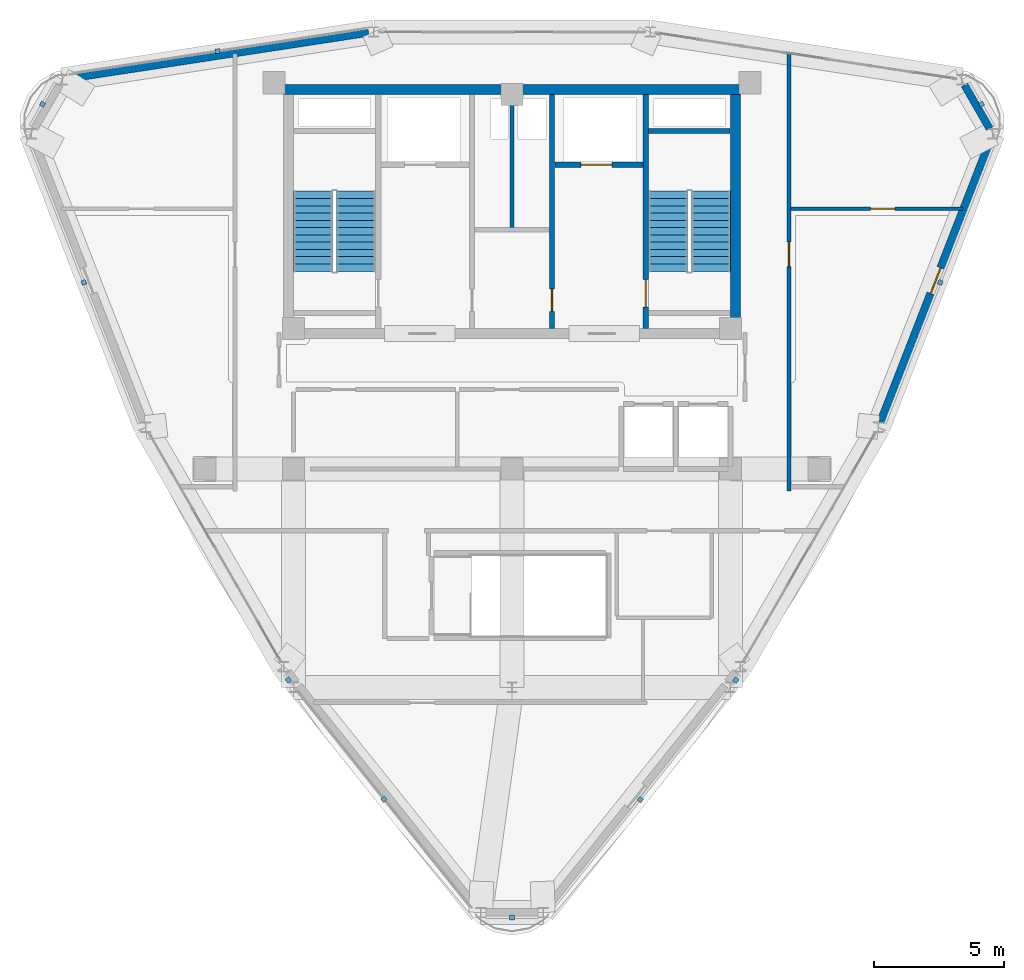
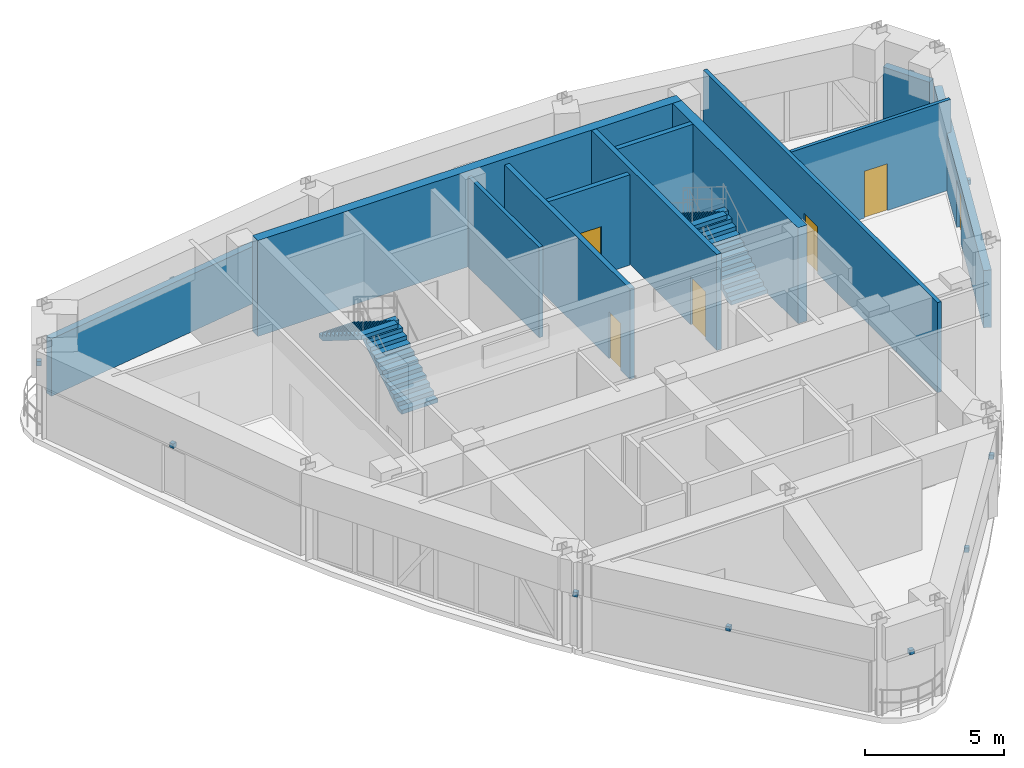
# One storey, part 14 of 16: 12 walls, 10 discrete accessories, 6 doors, 4 stair flights, 6 openings, 2 elements without a shape of their own.
"""IFC4 building model written with IfcOpenShell, lengths in metres."""

from ifc_helpers import new_model, si_unit, derived_unit, direction, frame, frame_2d, origin, origin_2d, place, context, subcontext, project, spatial, polyline, rectangle, outline, extrude, source, transform, mapped, material, layer, layer_set, type_object, element, fill, aggregate, save


model = new_model("IFC4")

# Units and contexts
model_context = context("Model", 3, precision=1e-05, world=origin(), true_north=direction((0.0, 1.0)))
body_context = subcontext(model_context, "Body", "Model", "MODEL_VIEW")
ifc_project = project(units=[si_unit("LENGTHUNIT", "METRE"), si_unit("AREAUNIT", "SQUARE_METRE"), si_unit("VOLUMEUNIT", "CUBIC_METRE"), si_unit("PLANEANGLEUNIT", "RADIAN"), si_unit("MASSUNIT", "GRAM", prefix="KILO"), derived_unit("THERMALTRANSMITTANCEUNIT", [(si_unit("POWERUNIT", "WATT"), 1), (si_unit("LENGTHUNIT", "METRE"), -2), (si_unit("THERMODYNAMICTEMPERATUREUNIT", "KELVIN"), -1)])], contexts=[model_context])

# Site, building, storey
site_placement = place(None, origin())
site = spatial("IfcSite", under=ifc_project, at=site_placement, CompositionType="ELEMENT")
building_placement = place(site_placement, origin())
building = spatial("IfcBuilding", under=site, at=building_placement, Name="Korsvarv Bourse and Concert Hall", CompositionType="ELEMENT")
storey_placement = place(building_placement, frame((0.0, 0.0, 288.0)))
storey = spatial("IfcBuildingStorey", under=building, at=storey_placement, Name="L75", CompositionType="ELEMENT", Elevation=288.0)

# Walls
ifc_material_1 = material(Name="Concrete C50/60", Category="concrete")
ifc_layer_1 = layer(ifc_material_1, 0.3798828125)
ifc_layer_set_1 = layer_set([ifc_layer_1], Name="Concrete C50/60")
wall_type_1 = type_object("IfcWallType", Name="WL-CORE-380", PredefinedType="SHEAR", material=ifc_layer_set_1)
wall_1_placement = place(storey_placement, frame((27.219970703125, 46.989990234375, 0.0), z_axis=(0.0, 0.0, 1.0), x_axis=(1.0, 0.0, 0.0)))
element("IfcWall", 1, at=wall_1_placement, inside=storey, type_object=wall_type_1, Name="L75 North Core Shear Wall", PredefinedType="SHEAR", context=body_context, shape_type="SweptSolid", body=[
    extrude(rectangle(XDim=17.56005859375, YDim=0.3798828125, at=frame_2d((8.780029296875, 0.0))), origin(), (0.0, 0.0, 1.0), 4.199951171875),
])
wall_2_placement = place(storey_placement, frame((44.590087890625, 37.800048828125, 0.0), z_axis=(0.0, 0.0, 1.0), x_axis=(0.0, 1.0, 0.0)))
element("IfcWall", 2, at=wall_2_placement, inside=storey, type_object=wall_type_1, Name="L75 East Core Shear Wall", PredefinedType="SHEAR", context=body_context, shape_type="SweptSolid", body=[
    extrude(rectangle(XDim=9.0, YDim=0.3798828125, at=frame_2d((4.5, 0.0))), origin(), (0.0, 0.0, 1.0), 4.199951171875),
])

# Wall, opening, door
wall_3_placement = place(storey_placement, frame((41.139892578125, 37.81005859375, 0.0), z_axis=(0.0, 0.0, 1.0), x_axis=(0.0, 1.0, 0.0)))
wall_3 = element("IfcWall", 3, at=wall_3_placement, inside=storey, type_object=wall_type_1, Name="L75 stair shaft structural wall W-L75-ST2-W", PredefinedType="SHEAR", context=body_context, shape_type="SweptSolid", body=[
    extrude(rectangle(XDim=8.97998046875, YDim=0.199951171875, at=frame_2d((4.489990234375, 0.0))), origin(), (0.0, 0.0, 1.0), 4.199951171875),
])
opening_1_placement = place(wall_3_placement, frame((0.820068359375, 0.0, 0.0)))
opening_1 = element("IfcOpeningElement", 4, at=opening_1_placement, cuts=wall_3, Name="Opening D-01", PredefinedType="OPENING", context=body_context, shape_type="SweptSolid", body=[
    extrude(rectangle(XDim=1.050048828125, YDim=2.10009765625, at=frame_2d((0.52490234375, 1.050048828125))), frame((0.0, 0.10986328125, 0.0), z_axis=(0.0, -1.0, 0.0), x_axis=(1.0, 0.0, 0.0)), (0.0, 0.0, 1.0), 0.219970703125),
])
ifc_material_2 = material(Name="Steel S355 fire door", Category="steel")
door_type_1 = type_object("IfcDoorType", Name="DR-FD60", OperationType="NOTDEFINED", PredefinedType="DOOR", material=ifc_material_2)
door_1_placement = place(opening_1_placement, frame((1.050048828125, 0.0, 0.0), z_axis=(0.0, 0.0, 1.0), x_axis=(-1.0, 0.0, 0.0)))
door_1 = element("IfcDoor", 5, at=door_1_placement, inside=storey, type_object=door_type_1, Name="L75 interior door DR-L75-ST2", OperationType="SINGLE_SWING_RIGHT", OverallHeight=2.10009765625, OverallWidth=1.050048828125, PredefinedType="DOOR", context=body_context, shape_type="SweptSolid", body=[
    extrude(rectangle(XDim=1.050048828125, YDim=2.10009765625, at=frame_2d((0.52490234375, 1.050048828125))), frame((0.0, 0.02490234375, 0.0), z_axis=(0.0, -1.0, 0.0), x_axis=(1.0, 0.0, 0.0)), (0.0, 0.0, 1.0), 0.050048828125),
])
fill(opening_1, door_1)

# Walls
wall_4_placement = place(storey_placement, frame((41.25, 45.39990234375, 0.0), z_axis=(0.0, 0.0, 1.0), x_axis=(1.0, 0.0, 0.0)))
element("IfcWall", 6, at=wall_4_placement, inside=storey, type_object=wall_type_1, Name="L75 stair shaft structural wall W-L75-ST2-N", PredefinedType="SHEAR", context=body_context, shape_type="SweptSolid", body=[
    extrude(rectangle(XDim=3.139892578125, YDim=0.199951171875, at=frame_2d((1.56982421875, 0.0))), origin(), (0.0, 0.0, 1.0), 4.199951171875),
])
ifc_material_3 = material(Name="Precast concrete C45/55 with terracotta rainscreen", Category="concrete")
ifc_layer_2 = layer(ifc_material_3, 0.300048828125)
ifc_layer_set_2 = layer_set([ifc_layer_2], Name="Precast concrete C45/55 with terracotta rainscreen")
wall_type_2 = type_object("IfcWallType", Name="WL-EXT-TC1", PredefinedType="SOLIDWALL", material=ifc_layer_set_2)
wall_5_placement = place(storey_placement, frame((54.373291015625, 45.491455078125, 0.0), z_axis=(0.0, 0.0, 1.0), x_axis=(-0.499995691662, 0.86602789119, 0.0)))
element("IfcWall", 7, at=wall_5_placement, inside=storey, type_object=wall_type_2, Name="L75 terracotta exterior wall EW-L75-B01", PredefinedType="SOLIDWALL", context=body_context, shape_type="SweptSolid", body=[
    extrude(rectangle(XDim=1.93359375, YDim=0.300048828125, at=frame_2d((0.966796875, 0.0))), origin(), (0.0, 0.0, 1.0), 2.510009765625),
])

# Wall, opening, door
wall_6_placement = place(storey_placement, frame((50.169921875, 34.201416015625, 0.0), z_axis=(0.0, 0.0, 1.0), x_axis=(0.363219891926, 0.931703445367, 0.0)))
wall_6 = element("IfcWall", 8, at=wall_6_placement, inside=storey, type_object=wall_type_2, Name="L75 terracotta exterior wall EW-L75-B12", PredefinedType="SOLIDWALL", context=body_context, shape_type="SweptSolid", body=[
    extrude(rectangle(XDim=11.6787109375, YDim=0.300048828125, at=frame_2d((5.83935546875, 0.0))), origin(), (0.0, 0.0, 1.0), 2.510009765625),
])
opening_2_placement = place(wall_6_placement, frame((5.314453125, 0.0, 0.0)))
opening_2 = element("IfcOpeningElement", 9, at=opening_2_placement, cuts=wall_6, Name="Opening ED-02", PredefinedType="OPENING", context=body_context, shape_type="SweptSolid", body=[
    extrude(rectangle(XDim=1.050048828125, YDim=2.10009765625, at=frame_2d((0.52490234375, 1.050048828125))), frame((0.0, 0.16015625, 0.0), z_axis=(0.0, -1.0, 0.0), x_axis=(1.0, 0.0, 0.0)), (0.0, 0.0, 1.0), 0.320068359375),
])
ifc_material_4 = material(Name="Thermally broken anodised aluminium and laminated safety glass", Category="aluminium")
door_type_2 = type_object("IfcDoorType", Name="DR-EXT-TERR", OperationType="NOTDEFINED", PredefinedType="DOOR", material=ifc_material_4)
door_2_placement = place(opening_2_placement, frame((1.050048828125, 0.0, 0.0), z_axis=(0.0, 0.0, 1.0), x_axis=(-1.0, 0.0, 0.0)))
door_2 = element("IfcDoor", 10, at=door_2_placement, inside=storey, type_object=door_type_2, Name="L75 Sky Garden Terrace Access Door", OperationType="SINGLE_SWING_LEFT", OverallHeight=2.10009765625, OverallWidth=1.050048828125, PredefinedType="DOOR", context=body_context, shape_type="SweptSolid", body=[
    extrude(rectangle(XDim=1.050048828125, YDim=2.10009765625, at=frame_2d((0.52490234375, 1.050048828125))), frame((0.0, 0.02490234375, 0.0), z_axis=(0.0, -1.0, 0.0), x_axis=(1.0, 0.0, 0.0)), (0.0, 0.0, 1.0), 0.050048828125),
])
fill(opening_2, door_2)

# Wall
ifc_material_5 = material(Name="Precast concrete C45/55 with fluted terracotta pier", Category="concrete")
ifc_layer_3 = layer(ifc_material_5, 0.280029296875)
ifc_layer_set_3 = layer_set([ifc_layer_3], Name="Precast concrete C45/55 with fluted terracotta pier")
wall_type_3 = type_object("IfcWallType", Name="WL-EXT-TC2", PredefinedType="SOLIDWALL", material=ifc_layer_set_3)
wall_7_placement = place(storey_placement, frame((30.484375, 49.172607421875, 0.0), z_axis=(0.0, 0.0, 1.0), x_axis=(-0.988488142615, -0.151298353952, 0.0)))
element("IfcWall", 11, at=wall_7_placement, inside=storey, type_object=wall_type_3, Name="L75 terracotta exterior wall EW-L75-B04", PredefinedType="SOLIDWALL", context=body_context, shape_type="SweptSolid", body=[
    extrude(rectangle(XDim=11.7021484375, YDim=0.280029296875, at=frame_2d((5.85107421875, 0.0))), origin(), (0.0, 0.0, 1.0), 2.510009765625),
])

# Wall, opening, door
ifc_material_6 = material(Name="Reinforced concrete blockwork C35/45 fire wall", Category="concrete")
ifc_layer_4 = layer(ifc_material_6, 0.199951171875)
ifc_layer_set_4 = layer_set([ifc_layer_4], Name="Reinforced concrete blockwork C35/45 fire wall")
wall_type_4 = type_object("IfcWallType", Name="WL-INT-EI120", PredefinedType="PARTITIONING", material=ifc_layer_set_4)
wall_8_placement = place(storey_placement, frame((37.64990234375, 44.10009765625, 0.0), z_axis=(0.0, 0.0, 1.0), x_axis=(1.0, 0.0, 0.0)))
wall_8 = element("IfcWall", 12, at=wall_8_placement, inside=storey, type_object=wall_type_4, Name="L75 interior partition wall W-L75-FF2-S", PredefinedType="PARTITIONING", context=body_context, shape_type="SweptSolid", body=[
    extrude(rectangle(XDim=3.380126953125, YDim=0.199951171875, at=frame_2d((1.68994140625, 0.0))), origin(), (0.0, 0.0, 1.0), 3.949951171875),
])
opening_3_placement = place(wall_8_placement, frame((1.0, 0.0, 0.0)))
opening_3 = element("IfcOpeningElement", 13, at=opening_3_placement, cuts=wall_8, Name="Opening LD-1", PredefinedType="OPENING", context=body_context, shape_type="SweptSolid", body=[
    extrude(rectangle(XDim=1.199951171875, YDim=2.10009765625, at=frame_2d((0.60009765625, 1.050048828125))), frame((0.0, 0.10986328125, 0.0), z_axis=(0.0, -1.0, 0.0), x_axis=(1.0, 0.0, 0.0)), (0.0, 0.0, 1.0), 0.219970703125),
])
ifc_material_7 = material(Name="Stainless Steel S355 firefighting lift landing door", Category="steel")
door_type_3 = type_object("IfcDoorType", Name="DR-LIFT-FF", OperationType="DOUBLE_DOOR_SLIDING", PredefinedType="DOOR", material=ifc_material_7)
door_3_placement = place(opening_3_placement, origin())
door_3 = element("IfcDoor", 14, at=door_3_placement, inside=storey, type_object=door_type_3, Name="L75 lift sliding landing door LD-L75-FF2", OperationType="DOUBLE_DOOR_SLIDING", OverallHeight=2.10009765625, OverallWidth=1.199951171875, PredefinedType="DOOR", context=body_context, shape_type="SweptSolid", body=[
    extrude(rectangle(XDim=1.199951171875, YDim=2.10009765625, at=frame_2d((0.60009765625, 1.050048828125))), frame((0.0, 0.02490234375, 0.0), z_axis=(0.0, -1.0, 0.0), x_axis=(1.0, 0.0, 0.0)), (0.0, 0.0, 1.0), 0.050048828125),
])
fill(opening_3, door_3)

wall_9_placement = place(storey_placement, frame((37.5400390625, 37.81005859375, 0.0), z_axis=(0.0, 0.0, 1.0), x_axis=(0.0, 1.0, 0.0)))
wall_9 = element("IfcWall", 15, at=wall_9_placement, inside=storey, type_object=wall_type_4, Name="L75 interior partition wall W-L75-CSB-E", PredefinedType="PARTITIONING", context=body_context, shape_type="SweptSolid", body=[
    extrude(rectangle(XDim=8.97998046875, YDim=0.199951171875, at=frame_2d((4.489990234375, 0.0))), origin(), (0.0, 0.0, 1.0), 3.949951171875),
])
opening_4_placement = place(wall_9_placement, frame((0.64990234375, 0.0, 0.0)))
opening_4 = element("IfcOpeningElement", 16, at=opening_4_placement, cuts=wall_9, Name="Opening D-05", PredefinedType="OPENING", context=body_context, shape_type="SweptSolid", body=[
    extrude(rectangle(XDim=0.85009765625, YDim=2.050048828125, at=frame_2d((0.425048828125, 1.02490234375))), frame((0.0, 0.10986328125, 0.0), z_axis=(0.0, -1.0, 0.0), x_axis=(1.0, 0.0, 0.0)), (0.0, 0.0, 1.0), 0.219970703125),
])
door_type_4 = type_object("IfcDoorType", Name="DR-FD60-850X2050", OperationType="NOTDEFINED", PredefinedType="DOOR", material=ifc_material_2)
door_4_placement = place(opening_4_placement, origin())
door_4 = element("IfcDoor", 17, at=door_4_placement, inside=storey, type_object=door_type_4, Name="L75 interior door DR-L75-CSB2", OperationType="SINGLE_SWING_RIGHT", OverallHeight=2.050048828125, OverallWidth=0.85009765625, PredefinedType="DOOR", context=body_context, shape_type="SweptSolid", body=[
    extrude(rectangle(XDim=0.85009765625, YDim=2.050048828125, at=frame_2d((0.425048828125, 1.02490234375))), frame((0.0, 0.02490234375, 0.0), z_axis=(0.0, -1.0, 0.0), x_axis=(1.0, 0.0, 0.0)), (0.0, 0.0, 1.0), 0.050048828125),
])
fill(opening_4, door_4)

# Wall
ifc_material_8 = material(Name="Double-stud fire-rated acoustic partition", Category="gypsum")
ifc_layer_5 = layer(ifc_material_8, 0.159912109375)
ifc_layer_set_5 = layer_set([ifc_layer_5], Name="Double-stud fire-rated acoustic partition")
wall_type_5 = type_object("IfcWallType", Name="WL-INT-EI60", PredefinedType="PARTITIONING", material=ifc_layer_set_5)
wall_10_placement = place(storey_placement, frame((36.0048828125, 41.68994140625, 0.0), z_axis=(0.0, 0.0, 1.0), x_axis=(0.0, 1.0, 0.0)))
element("IfcWall", 18, at=wall_10_placement, inside=storey, type_object=wall_type_5, Name="L75 interior partition wall W-L75-K2", PredefinedType="PARTITIONING", context=body_context, shape_type="SweptSolid", body=[
    extrude(rectangle(XDim=5.10009765625, YDim=0.159912109375, at=frame_2d((2.550048828125, 0.0))), origin(), (0.0, 0.0, 1.0), 3.949951171875),
])

# Wall, opening, door
wall_11_placement = place(storey_placement, frame((46.655029296875, 31.56005859375, 0.0), z_axis=(0.0, 0.0, 1.0), x_axis=(0.0, 1.0, 0.0)))
wall_11 = element("IfcWall", 19, at=wall_11_placement, inside=storey, type_object=wall_type_5, Name="L75 interior partition wall W-L75-LKCOR-01", PredefinedType="PARTITIONING", context=body_context, shape_type="SweptSolid", body=[
    extrude(rectangle(XDim=16.805908203125, YDim=0.159912109375, at=frame_2d((8.40283203125, 0.0))), origin(), (0.0, 0.0, 1.0), 3.949951171875),
])
opening_5_placement = place(wall_11_placement, frame((8.616455078125, 0.0, 0.0)))
opening_5 = element("IfcOpeningElement", 20, at=opening_5_placement, cuts=wall_11, Name="Opening D-02", PredefinedType="OPENING", context=body_context, shape_type="SweptSolid", body=[
    extrude(rectangle(XDim=0.949951171875, YDim=2.050048828125, at=frame_2d((0.47509765625, 1.02490234375))), frame((0.0, 0.08984375, 0.0), z_axis=(0.0, -1.0, 0.0), x_axis=(1.0, 0.0, 0.0)), (0.0, 0.0, 1.0), 0.179931640625),
])
ifc_material_9 = material(Name="Timber and steel acoustic fire door", Category="wood")
door_type_5 = type_object("IfcDoorType", Name="DR-FD30", OperationType="NOTDEFINED", PredefinedType="DOOR", material=ifc_material_9)
door_5_placement = place(opening_5_placement, origin())
door_5 = element("IfcDoor", 21, at=door_5_placement, inside=storey, type_object=door_type_5, Name="L75 interior door DR-L75-LKCOR-LKR11", OperationType="SINGLE_SWING_RIGHT", OverallHeight=2.050048828125, OverallWidth=0.949951171875, PredefinedType="DOOR", context=body_context, shape_type="SweptSolid", body=[
    extrude(rectangle(XDim=0.949951171875, YDim=2.050048828125, at=frame_2d((0.47509765625, 1.02490234375))), frame((0.0, 0.02490234375, 0.0), z_axis=(0.0, -1.0, 0.0), x_axis=(1.0, 0.0, 0.0)), (0.0, 0.0, 1.0), 0.050048828125),
])
fill(opening_5, door_5)

ifc_material_10 = material(Name="Insulated steel-stud office acoustic partition", Category="gypsum")
ifc_layer_6 = layer(ifc_material_10, 0.139892578125)
ifc_layer_set_6 = layer_set([ifc_layer_6], Name="Insulated steel-stud office acoustic partition")
wall_type_6 = type_object("IfcWallType", Name="WL-INT-P1", PredefinedType="PARTITIONING", material=ifc_layer_set_6)
wall_12_placement = place(storey_placement, frame((46.737060546875, 42.405029296875, 0.0), z_axis=(0.0, 0.0, 1.0), x_axis=(1.0, 0.0, 0.0)))
wall_12 = element("IfcWall", 22, at=wall_12_placement, inside=storey, type_object=wall_type_6, Name="L75 interior partition wall W-L75-LKCOR-11", PredefinedType="PARTITIONING", context=body_context, shape_type="SweptSolid", body=[
    extrude(rectangle(XDim=6.61083984375, YDim=0.139892578125, at=frame_2d((3.305419921875, 0.0))), origin(), (0.0, 0.0, 1.0), 3.949951171875),
])
opening_6_placement = place(wall_12_placement, frame((3.039794921875, 0.0, 0.0)))
opening_6 = element("IfcOpeningElement", 23, at=opening_6_placement, cuts=wall_12, Name="Opening D-03", PredefinedType="OPENING", context=body_context, shape_type="SweptSolid", body=[
    extrude(rectangle(XDim=0.949951171875, YDim=2.050048828125, at=frame_2d((0.47509765625, 1.02490234375))), frame((0.0, 0.080078125, 0.0), z_axis=(0.0, -1.0, 0.0), x_axis=(1.0, 0.0, 0.0)), (0.0, 0.0, 1.0), 0.159912109375),
])
ifc_material_11 = material(Name="Nordic oak acoustic office door", Category="wood")
door_type_6 = type_object("IfcDoorType", Name="DR-INT-1", OperationType="NOTDEFINED", PredefinedType="DOOR", material=ifc_material_11)
door_6_placement = place(opening_6_placement, origin())
door_6 = element("IfcDoor", 24, at=door_6_placement, inside=storey, type_object=door_type_6, Name="L75 interior door DR-L75-LKCOR-NWM12", OperationType="SINGLE_SWING_LEFT", OverallHeight=2.050048828125, OverallWidth=0.949951171875, PredefinedType="DOOR", context=body_context, shape_type="SweptSolid", body=[
    extrude(rectangle(XDim=0.949951171875, YDim=2.050048828125, at=frame_2d((0.47509765625, 1.02490234375))), frame((0.0, 0.02490234375, 0.0), z_axis=(0.0, -1.0, 0.0), x_axis=(1.0, 0.0, 0.0)), (0.0, 0.0, 1.0), 0.050048828125),
])
fill(opening_6, door_6)

# Stair, stair flights
ifc_material_12 = material(Name="Precast concrete C45/55", Category="concrete")
stair_type = type_object("IfcStairType", Name="STR-TYPE-05", PredefinedType="HALF_TURN_STAIR", material=ifc_material_12)
stair_1_placement = place(storey_placement, origin())
stair_1 = element("IfcStair", 25, at=stair_1_placement, inside=storey, type_object=stair_type, Name="L75 Tower West Exit Stair ST-T1", PredefinedType="HALF_TURN_STAIR")
stair_flight_type = type_object("IfcStairFlightType", Name="FLT-TYPE-05", PredefinedType="STRAIGHT", material=ifc_material_12)
stair_flight_1_placement = place(storey_placement, frame((30.010009765625, 40.0, 0.0), z_axis=(0.0, 0.0, 1.0), x_axis=(0.0, 1.0, 0.0)))
stair_flight_1 = element("IfcStairFlight", 26, at=stair_flight_1_placement, type_object=stair_flight_type, Name="ST-T1 flight 1", NumberOfRisers=12, NumberOfTreads=11, PredefinedType="STRAIGHT", RiserHeight=0.175, TreadLength=0.28, context=body_context, shape_type="SweptSolid", body=[
    extrude(outline(polyline([(0.0, 0.0), (0.0, 0.175048828125), (0.280029296875, 0.175048828125), (0.280029296875, 0.35009765625), (0.56005859375, 0.35009765625), (0.56005859375, 0.52490234375), (0.840087890625, 0.52490234375), (0.840087890625, 0.699951171875), (1.1201171875, 0.699951171875), (1.1201171875, 0.875), (1.39990234375, 0.875), (1.39990234375, 1.050048828125), (1.679931640625, 1.050048828125), (1.679931640625, 1.22509765625), (1.9599609375, 1.22509765625), (1.9599609375, 1.39990234375), (2.239990234375, 1.39990234375), (2.239990234375, 1.574951171875), (2.52001953125, 1.574951171875), (2.52001953125, 1.75), (2.800048828125, 1.75), (2.800048828125, 1.925048828125), (3.080078125, 1.925048828125), (3.080078125, 2.10009765625), (3.080078125, 1.748291015625), (0.28271484375, 0.0), (0.0, 0.0)])), frame((0.0, 0.75, 0.0), z_axis=(0.0, -1.0, 0.0), x_axis=(1.0, 0.0, 0.0)), (0.0, 0.0, 1.0), 1.5),
])
stair_flight_2_placement = place(storey_placement, frame((28.35009765625, 43.080078125, 2.10009765625), z_axis=(0.0, 0.0, 1.0), x_axis=(0.0, -1.0, 0.0)))
stair_flight_2 = element("IfcStairFlight", 27, at=stair_flight_2_placement, type_object=stair_flight_type, Name="ST-T1 flight 2", NumberOfRisers=12, NumberOfTreads=11, PredefinedType="STRAIGHT", RiserHeight=0.175, TreadLength=0.28, context=body_context, shape_type="SweptSolid", body=[
    extrude(outline(polyline([(0.0, 0.0), (0.0, 0.175048828125), (0.280029296875, 0.175048828125), (0.280029296875, 0.35009765625), (0.56005859375, 0.35009765625), (0.56005859375, 0.52490234375), (0.840087890625, 0.52490234375), (0.840087890625, 0.699951171875), (1.1201171875, 0.699951171875), (1.1201171875, 0.875), (1.39990234375, 0.875), (1.39990234375, 1.050048828125), (1.679931640625, 1.050048828125), (1.679931640625, 1.22509765625), (1.9599609375, 1.22509765625), (1.9599609375, 1.39990234375), (2.239990234375, 1.39990234375), (2.239990234375, 1.574951171875), (2.52001953125, 1.574951171875), (2.52001953125, 1.75), (2.800048828125, 1.75), (2.800048828125, 1.925048828125), (3.080078125, 1.925048828125), (3.080078125, 2.10009765625), (3.080078125, 1.748291015625), (0.28271484375, 0.0), (0.0, 0.0)])), frame((0.0, 0.75, 0.0), z_axis=(0.0, -1.0, 0.0), x_axis=(1.0, 0.0, 0.0)), (0.0, 0.0, 1.0), 1.5),
])
aggregate(stair_1, [stair_flight_1, stair_flight_2])

stair_2_placement = place(storey_placement, origin())
stair_2 = element("IfcStair", 28, at=stair_2_placement, inside=storey, type_object=stair_type, Name="L75 Tower East Exit Stair ST-T2", PredefinedType="HALF_TURN_STAIR")
stair_flight_3_placement = place(storey_placement, frame((43.64990234375, 40.0, 0.0), z_axis=(0.0, 0.0, 1.0), x_axis=(0.0, 1.0, 0.0)))
stair_flight_3 = element("IfcStairFlight", 29, at=stair_flight_3_placement, type_object=stair_flight_type, Name="ST-T2 flight 1", NumberOfRisers=12, NumberOfTreads=11, PredefinedType="STRAIGHT", RiserHeight=0.175, TreadLength=0.28, context=body_context, shape_type="SweptSolid", body=[
    extrude(outline(polyline([(0.0, 0.0), (0.0, 0.175048828125), (0.280029296875, 0.175048828125), (0.280029296875, 0.35009765625), (0.56005859375, 0.35009765625), (0.56005859375, 0.52490234375), (0.840087890625, 0.52490234375), (0.840087890625, 0.699951171875), (1.1201171875, 0.699951171875), (1.1201171875, 0.875), (1.39990234375, 0.875), (1.39990234375, 1.050048828125), (1.679931640625, 1.050048828125), (1.679931640625, 1.22509765625), (1.9599609375, 1.22509765625), (1.9599609375, 1.39990234375), (2.239990234375, 1.39990234375), (2.239990234375, 1.574951171875), (2.52001953125, 1.574951171875), (2.52001953125, 1.75), (2.800048828125, 1.75), (2.800048828125, 1.925048828125), (3.080078125, 1.925048828125), (3.080078125, 2.10009765625), (3.080078125, 1.748291015625), (0.28271484375, 0.0), (0.0, 0.0)])), frame((0.0, 0.75, 0.0), z_axis=(0.0, -1.0, 0.0), x_axis=(1.0, 0.0, 0.0)), (0.0, 0.0, 1.0), 1.5),
])
stair_flight_4_placement = place(storey_placement, frame((41.989990234375, 43.080078125, 2.10009765625), z_axis=(0.0, 0.0, 1.0), x_axis=(0.0, -1.0, 0.0)))
stair_flight_4 = element("IfcStairFlight", 30, at=stair_flight_4_placement, type_object=stair_flight_type, Name="ST-T2 flight 2", NumberOfRisers=12, NumberOfTreads=11, PredefinedType="STRAIGHT", RiserHeight=0.175, TreadLength=0.28, context=body_context, shape_type="SweptSolid", body=[
    extrude(outline(polyline([(0.0, 0.0), (0.0, 0.175048828125), (0.280029296875, 0.175048828125), (0.280029296875, 0.35009765625), (0.56005859375, 0.35009765625), (0.56005859375, 0.52490234375), (0.840087890625, 0.52490234375), (0.840087890625, 0.699951171875), (1.1201171875, 0.699951171875), (1.1201171875, 0.875), (1.39990234375, 0.875), (1.39990234375, 1.050048828125), (1.679931640625, 1.050048828125), (1.679931640625, 1.22509765625), (1.9599609375, 1.22509765625), (1.9599609375, 1.39990234375), (2.239990234375, 1.39990234375), (2.239990234375, 1.574951171875), (2.52001953125, 1.574951171875), (2.52001953125, 1.75), (2.800048828125, 1.75), (2.800048828125, 1.925048828125), (3.080078125, 1.925048828125), (3.080078125, 2.10009765625), (3.080078125, 1.748291015625), (0.28271484375, 0.0), (0.0, 0.0)])), frame((0.0, 0.75, 0.0), z_axis=(0.0, -1.0, 0.0), x_axis=(1.0, 0.0, 0.0)), (0.0, 0.0, 1.0), 1.5),
])
aggregate(stair_2, [stair_flight_3, stair_flight_4])

# Discrete accessories
ifc_material_13 = material(Name="Stainless Steel S355 facade outrigger bracket", Category="steel")
discrete_accessory_type = type_object("IfcDiscreteAccessoryType", Name="ACC-BRK-1", PredefinedType="BRACKET", material=ifc_material_13)
shared_shape = source(origin(), body_context, "Body", "SweptSolid", [
    extrude(rectangle(XDim=0.179931640625, YDim=0.179931640625, at=origin_2d()), origin(), (0.0, 0.0, 1.0), 0.199951171875),
])
for number, where, z_axis, x_axis, name in (
    (31, (54.054443359375, 46.423828125, 2.25), (0.0, 0.0, 1.0), (-0.5, 0.866025403784, 0.0), "L75 terracotta sunshade bracket EW-L75-B01"),
    (32, (24.67333984375, 48.465087890625, 2.25), (0.0, 0.0, 1.0), (-0.988493886809, -0.151260820247, 0.0), "L75 terracotta sunshade bracket EW-L75-B04"),
    (33, (17.945556640625, 46.423828125, 2.25), (0.0, 0.0, 1.0), (-0.5, -0.866025403784, 0.0), "L75 terracotta sunshade bracket EW-L75-B05"),
    (34, (19.5322265625, 39.572998046875, 2.25), (0.0, 0.0, 1.0), (0.363251230473, -0.931691227586, 0.0), "L75 terracotta sunshade bracket EW-L75-B06"),
    (35, (27.39990234375, 24.287109375, 2.25), (0.0, 0.0, 1.0), (0.625378857614, -0.780321270022, 0.0), "L75 terracotta sunshade bracket EW-L75-B08-1"),
    (36, (31.078857421875, 19.6953125, 2.25), (0.0, 0.0, 1.0), (0.625242656336, -0.780430407338, 0.0), "L75 terracotta sunshade bracket EW-L75-B08-2"),
    (37, (36.0, 15.15234375, 2.25), (0.0, 0.0, 1.0), (1.0, 0.0, 0.0), "L75 terracotta sunshade bracket EW-L75-B09"),
    (38, (40.928955078125, 19.68896484375, 2.25), (0.0, 0.0, 1.0), (0.625242656336, 0.780430407338, 0.0), "L75 terracotta sunshade bracket EW-L75-B10-1"),
    (39, (44.60791015625, 24.28076171875, 2.25), (0.0, 0.0, 1.0), (0.625378857614, 0.780321270022, 0.0), "L75 terracotta sunshade bracket EW-L75-B10-2"),
    (40, (52.4677734375, 39.572998046875, 2.25), (0.0, 0.0, 1.0), (0.363251230473, 0.931691227586, 0.0), "L75 terracotta sunshade bracket EW-L75-B12"),
):
    element("IfcDiscreteAccessory", number, at=place(storey_placement, frame(where, z_axis=z_axis, x_axis=x_axis)), inside=storey, type_object=discrete_accessory_type, Name=name, PredefinedType="BRACKET", context=body_context, shape_type="MappedRepresentation", body=[
        mapped(shared_shape, transform((0.0, 0.0, 0.0), scale=1.0)),
    ])

save(model, "model.ifc")
